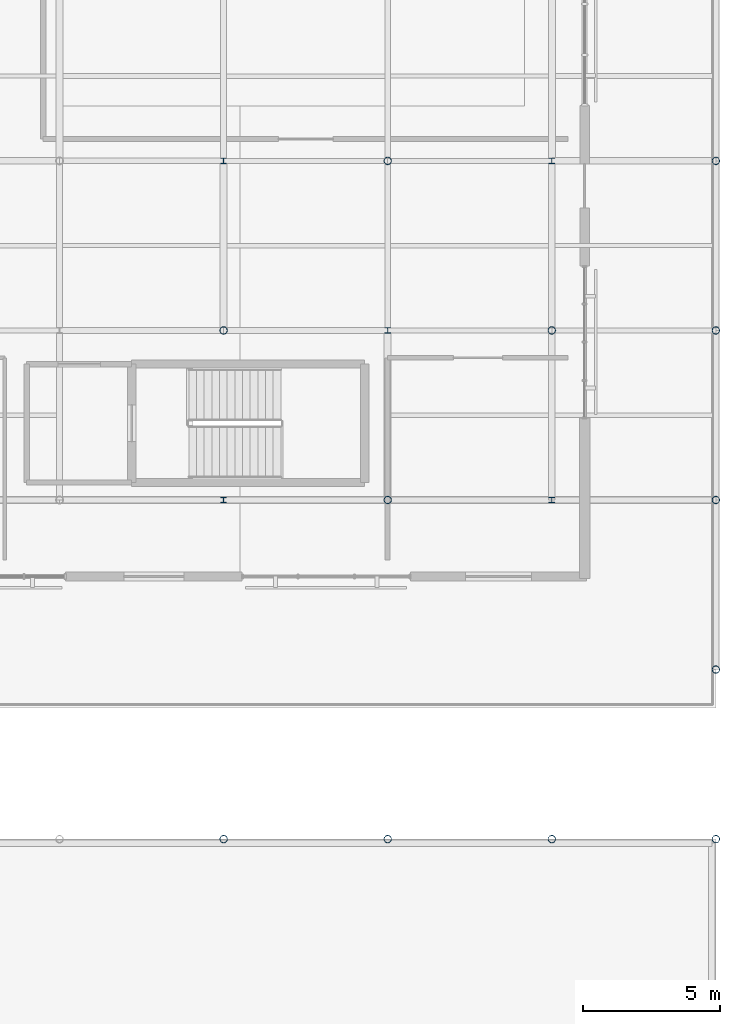
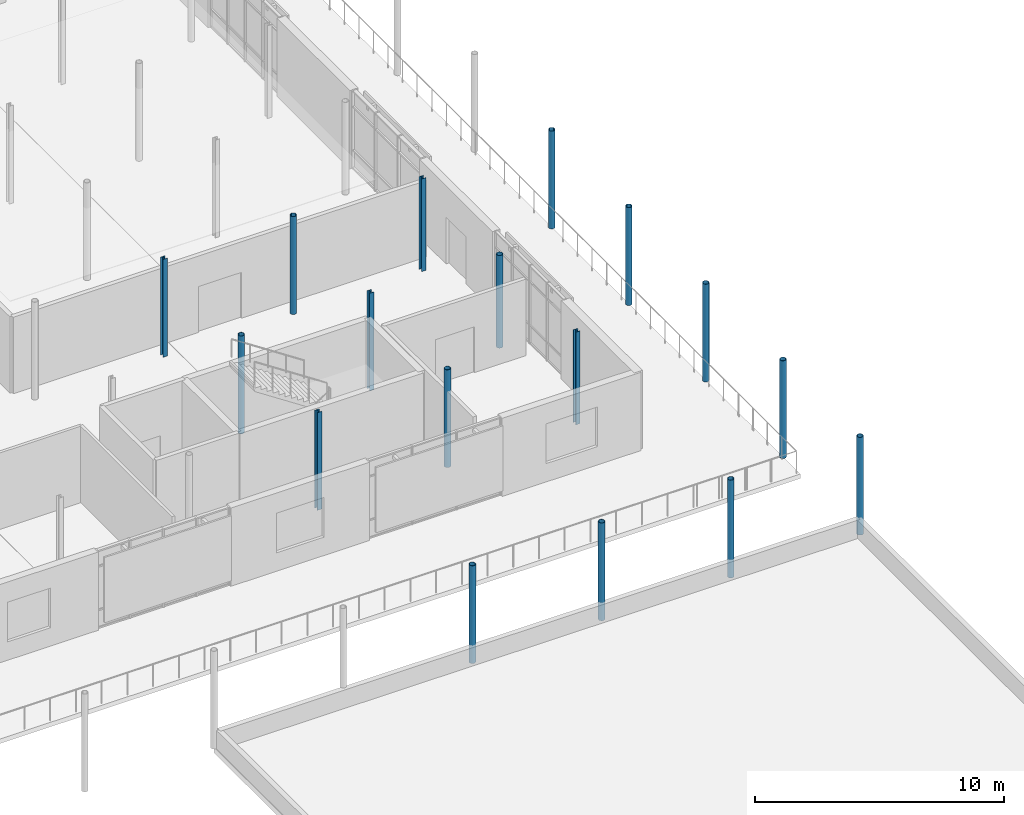
# One storey, part 15 of 66: 17 columns.
"""IFC4 building model written with IfcOpenShell, lengths in metres."""

from ifc_helpers import new_model, si_unit, direction, frame, origin, origin_2d, place, context, subcontext, project, spatial, hollow_circle, i_section, extrude, material, material_profile, profile_set, type_object, element, save


model = new_model("IFC4")

# Units and contexts
model_context = context("Model", 3, precision=1e-05, world=origin(), true_north=direction((0.0, 1.0)))
body_context = subcontext(model_context, "Body", "Model", "MODEL_VIEW")
ifc_project = project(units=[si_unit("LENGTHUNIT", "METRE"), si_unit("AREAUNIT", "SQUARE_METRE"), si_unit("VOLUMEUNIT", "CUBIC_METRE"), si_unit("PLANEANGLEUNIT", "RADIAN"), si_unit("MASSUNIT", "GRAM", prefix="KILO")], contexts=[model_context])

# Site, building, storey
site_placement = place(None, origin())
site = spatial("IfcSite", under=ifc_project, at=site_placement, CompositionType="ELEMENT")
building_placement = place(site_placement, origin())
building = spatial("IfcBuilding", under=site, at=building_placement, Name="Mirzam Square Science Centre", CompositionType="ELEMENT")
storey_placement = place(building_placement, frame((0.0, 0.0, 15.60009765625)))
storey = spatial("IfcBuildingStorey", under=building, at=storey_placement, Name="L03", CompositionType="ELEMENT", Elevation=15.60009765625)

# Columns
ifc_material = material(Name="Steel S355", Category="steel")
ifc_material_profile_1 = material_profile(ifc_material, hollow_circle(Radius=0.136474609375, WallThickness=0.010009765625, at=origin_2d()), Name="273.0x10.0CHS")
ifc_profile_set_1 = profile_set([ifc_material_profile_1], Name="Steel S355")
column_type_1 = type_object("IfcColumnType", Name="COL-CHS273", PredefinedType="COLUMN", material=ifc_profile_set_1)
for number, where, z_axis, x_axis, name in (
    (1, (144.0, 37.199951171875, 0.0), (0.0, 0.0, 1.0), (1.0, 0.0, 0.0), "L03 column G25-07"),
    (2, (144.0, 55.800048828125, 0.0), (0.0, 0.0, 1.0), (1.0, 0.0, 0.0), "L03 column G25-10"),
    (3, (150.0, 37.199951171875, 0.0), (0.0, 0.0, 1.0), (1.0, 0.0, 0.0), "L03 column G26-07"),
    (4, (150.0, 49.60009765625, 0.0), (0.0, 0.0, 1.0), (1.0, 0.0, 0.0), "L03 column G26-09"),
    (5, (150.0, 62.0, 0.0), (0.0, 0.0, 1.0), (1.0, 0.0, 0.0), "L03 column G26-11"),
    (6, (156.0, 37.199951171875, 0.0), (0.0, 0.0, 1.0), (1.0, 0.0, 0.0), "L03 column G27-07"),
):
    element("IfcColumn", number, at=place(storey_placement, frame(where, z_axis=z_axis, x_axis=x_axis)), inside=storey, type_object=column_type_1, Name=name, PredefinedType="COLUMN", context=body_context, shape_type="SweptSolid", body=[
        extrude(hollow_circle(Radius=0.136474609375, WallThickness=0.010009765625, at=origin_2d()), origin(), (0.0, 0.0, 1.0), 4.7998046875),
    ])
column_placement = place(storey_placement, frame((156.0, 55.800048828125, 0.0), z_axis=(0.0, 0.0, 1.0), x_axis=(1.0, 0.0, 0.0)))
element("IfcColumn", 7, at=column_placement, inside=storey, type_object=column_type_1, Name="L03 column G27-10", PredefinedType="COLUMN", context=body_context, shape_type="SweptSolid", body=[
    extrude(hollow_circle(Radius=0.136474609375, WallThickness=0.010009765625, at=origin_2d()), origin(), (0.0, 0.0, 1.0), 4.5498046875),
])
for number, where, z_axis, x_axis, name in (
    (8, (162.0, 37.199951171875, 0.0), (0.0, 0.0, 1.0), (1.0, 0.0, 0.0), "L03 column G28-07"),
    (9, (162.0, 43.39990234375, 0.0), (0.0, 0.0, 1.0), (1.0, 0.0, 0.0), "L03 column G28-08"),
    (10, (162.0, 49.60009765625, 0.0), (0.0, 0.0, 1.0), (1.0, 0.0, 0.0), "L03 column G28-09"),
    (11, (162.0, 55.800048828125, 0.0), (0.0, 0.0, 1.0), (1.0, 0.0, 0.0), "L03 column G28-10"),
    (12, (162.0, 62.0, 0.0), (0.0, 0.0, 1.0), (1.0, 0.0, 0.0), "L03 column G28-11"),
):
    element("IfcColumn", number, at=place(storey_placement, frame(where, z_axis=z_axis, x_axis=x_axis)), inside=storey, type_object=column_type_1, Name=name, PredefinedType="COLUMN", context=body_context, shape_type="SweptSolid", body=[
        extrude(hollow_circle(Radius=0.136474609375, WallThickness=0.010009765625, at=origin_2d()), origin(), (0.0, 0.0, 1.0), 4.7998046875),
    ])
ifc_material_profile_2 = material_profile(ifc_material, i_section(OverallWidth=0.205810546875, OverallDepth=0.209716796875, WebThickness=0.009521484375, FlangeThickness=0.01416015625, FilletRadius=0.01025390625, at=origin_2d()), Name="203x203x60UC")
ifc_profile_set_2 = profile_set([ifc_material_profile_2], Name="Steel S355")
column_type_2 = type_object("IfcColumnType", Name="COL-UC203A", PredefinedType="COLUMN", material=ifc_profile_set_2)
for number, where, z_axis, x_axis, name in (
    (13, (144.0, 49.60009765625, 0.0), (0.0, 0.0, 1.0), (1.0, 0.0, 0.0), "L03 column G25-09"),
    (14, (144.0, 62.0, 0.0), (0.0, 0.0, 1.0), (1.0, 0.0, 0.0), "L03 column G25-11"),
    (15, (150.0, 55.800048828125, 0.0), (0.0, 0.0, 1.0), (1.0, 0.0, 0.0), "L03 column G26-10"),
):
    element("IfcColumn", number, at=place(storey_placement, frame(where, z_axis=z_axis, x_axis=x_axis)), inside=storey, type_object=column_type_2, Name=name, PredefinedType="COLUMN", context=body_context, shape_type="SweptSolid", body=[
        extrude(i_section(OverallWidth=0.205810546875, OverallDepth=0.209716796875, WebThickness=0.009521484375, FlangeThickness=0.01416015625, FilletRadius=0.01025390625, at=origin_2d()), origin(), (0.0, 0.0, 1.0), 4.7998046875),
    ])
for number, where, z_axis, x_axis, name in (
    (16, (156.0, 49.60009765625, 0.0), (0.0, 0.0, 1.0), (1.0, 0.0, 0.0), "L03 column G27-09"),
    (17, (156.0, 62.0, 0.0), (0.0, 0.0, 1.0), (1.0, 0.0, 0.0), "L03 column G27-11"),
):
    element("IfcColumn", number, at=place(storey_placement, frame(where, z_axis=z_axis, x_axis=x_axis)), inside=storey, type_object=column_type_2, Name=name, PredefinedType="COLUMN", context=body_context, shape_type="SweptSolid", body=[
        extrude(i_section(OverallWidth=0.205810546875, OverallDepth=0.209716796875, WebThickness=0.009521484375, FlangeThickness=0.01416015625, FilletRadius=0.01025390625, at=origin_2d()), origin(), (0.0, 0.0, 1.0), 4.5498046875),
    ])

save(model, "model.ifc")
